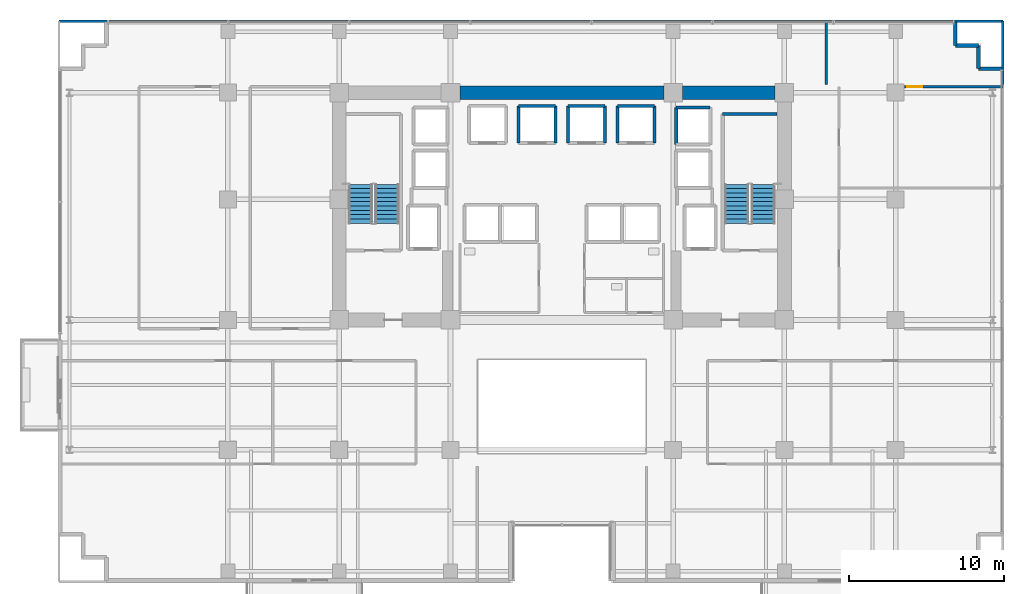
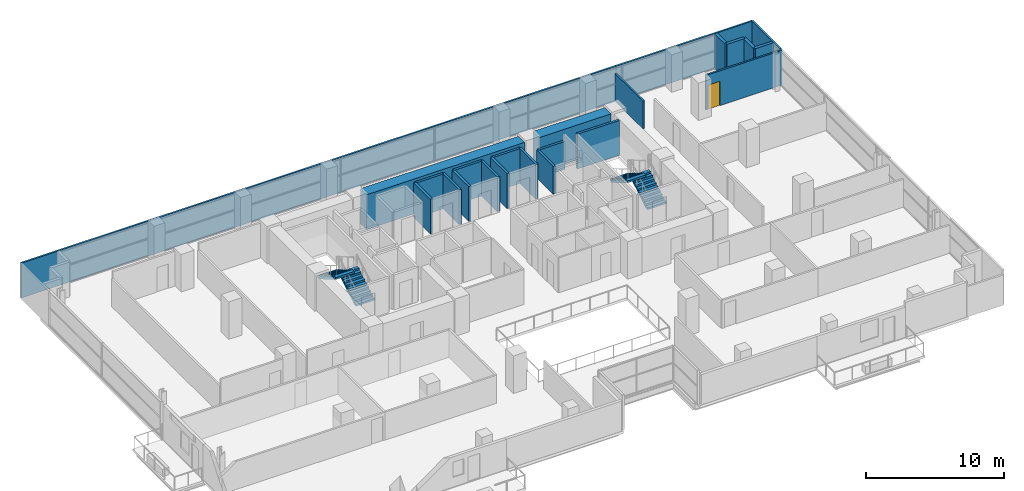
# One storey, part 26 of 30: 23 walls, 4 stair flights, 1 door, 1 opening, 2 elements without a shape of their own.
"""IFC4 building model written with IfcOpenShell, lengths in metres."""

from ifc_helpers import new_model, si_unit, direction, frame, frame_2d, origin, place, context, subcontext, project, spatial, polyline, rectangle, outline, extrude, source, transform, mapped, material, layer, layer_set, type_object, element, fill, aggregate, save


model = new_model("IFC4")

# Units and contexts
model_context = context("Model", 3, precision=1e-05, world=origin(), true_north=direction((0.0, 1.0)))
body_context = subcontext(model_context, "Body", "Model", "MODEL_VIEW")
ifc_project = project(units=[si_unit("LENGTHUNIT", "METRE"), si_unit("AREAUNIT", "SQUARE_METRE"), si_unit("VOLUMEUNIT", "CUBIC_METRE"), si_unit("PLANEANGLEUNIT", "RADIAN"), si_unit("MASSUNIT", "GRAM", prefix="KILO")], contexts=[model_context])

# Site, building, storey
site_placement = place(None, origin())
site = spatial("IfcSite", under=ifc_project, at=site_placement, CompositionType="ELEMENT")
building_placement = place(site_placement, origin())
building = spatial("IfcBuilding", under=site, at=building_placement, Name="Zarnakvel Exchange Tower", CompositionType="ELEMENT")
storey_placement = place(building_placement, frame((0.0, 0.0, 40.60009765625)))
storey = spatial("IfcBuildingStorey", under=building, at=storey_placement, Name="L10", CompositionType="ELEMENT", Elevation=40.60009765625)

# Walls
ifc_material_1 = material(Name="Concrete C80/95", Category="concrete")
ifc_layer_1 = layer(ifc_material_1, 0.89990234375)
ifc_layer_set_1 = layer_set([ifc_layer_1], Name="Concrete C80/95")
wall_type_1 = type_object("IfcWallType", Name="CW-C1", PredefinedType="SHEAR", material=ifc_layer_set_1)
wall_1_placement = place(storey_placement, frame((-6.60009765625, 13.5, 0.0), z_axis=(0.0, 0.0, 1.0), x_axis=(1.0, 0.0, 0.0)))
element("IfcWall", 1, at=wall_1_placement, inside=storey, type_object=wall_type_1, Name="L10 Rear Core Shear Wall N2 (CW-C1)", PredefinedType="SHEAR", context=body_context, shape_type="SweptSolid", body=[
    extrude(rectangle(XDim=13.2001953125, YDim=0.89990234375, at=frame_2d((6.60009765625, 0.0))), origin(), (0.0, 0.0, 1.0), 3.074951171875),
])
wall_2_placement = place(storey_placement, frame((7.800048828125, 13.5, 0.0), z_axis=(0.0, 0.0, 1.0), x_axis=(1.0, 0.0, 0.0)))
element("IfcWall", 2, at=wall_2_placement, inside=storey, type_object=wall_type_1, Name="L10 Rear Core Shear Wall N3 (CW-C1)", PredefinedType="SHEAR", context=body_context, shape_type="SweptSolid", body=[
    extrude(rectangle(XDim=6.0, YDim=0.89990234375, at=frame_2d((3.0, 0.0))), origin(), (0.0, 0.0, 1.0), 3.074951171875),
])
ifc_material_2 = material(Name="Precast concrete C40/50", Category="concrete")
ifc_layer_2 = layer(ifc_material_2, 0.239990234375)
ifc_layer_set_2 = layer_set([ifc_layer_2], Name="Precast concrete C40/50")
wall_type_2 = type_object("IfcWallType", Name="EW-02", PredefinedType="SOLIDWALL", material=ifc_layer_set_2)
for number, where, z_axis, x_axis, name in (
    (3, (25.4599609375, 16.56005859375, 0.0), (0.0, 0.0, 1.0), (0.0, 1.0, 0.0), "L10 Exterior Precast Spandrel Wall EWC-L10-07 (EW-02)"),
    (4, (26.9599609375, 16.56005859375, 0.0), (0.0, 0.0, 1.0), (-1.0, 0.0, 0.0), "L10 Exterior Precast Spandrel Wall EWC-L10-08 (EW-02)"),
    (5, (26.9599609375, 15.06005859375, 0.0), (0.0, 0.0, 1.0), (0.0, 1.0, 0.0), "L10 Exterior Precast Spandrel Wall EWC-L10-09 (EW-02)"),
    (6, (28.4599609375, 15.06005859375, 0.0), (0.0, 0.0, 1.0), (-1.0, 0.0, 0.0), "L10 Exterior Precast Spandrel Wall EWC-L10-10 (EW-02)"),
):
    element("IfcWall", number, at=place(storey_placement, frame(where, z_axis=z_axis, x_axis=x_axis)), inside=storey, type_object=wall_type_2, Name=name, PredefinedType="SOLIDWALL", context=body_context, shape_type="SweptSolid", body=[
        extrude(rectangle(XDim=1.5, YDim=0.239990234375, at=frame_2d((0.75, 0.0))), origin(), (0.0, 0.0, 1.0), 3.074951171875),
    ])

# Wall, opening, door
ifc_material_3 = material(Name="Fire-Rated Gypsum Stud Partition", Category="gypsum")
ifc_layer_3 = layer(ifc_material_3, 0.14990234375)
ifc_layer_set_3 = layer_set([ifc_layer_3], Name="Fire-Rated Gypsum Stud Partition")
wall_type_3 = type_object("IfcWallType", Name="PT-01", PredefinedType="PARTITIONING", material=ifc_layer_set_3)
wall_3_placement = place(storey_placement, frame((22.169921875, 13.8798828125, 0.0), z_axis=(0.0, 0.0, 1.0), x_axis=(1.0, 0.0, 0.0)))
wall_3 = element("IfcWall", 7, at=wall_3_placement, inside=storey, type_object=wall_type_3, Name="L10 Partition Wall PWALL-L10-052 (PT-01)", PredefinedType="PARTITIONING", context=body_context, shape_type="SweptSolid", body=[
    extrude(rectangle(XDim=6.360107421875, YDim=0.14990234375, at=frame_2d((3.18017578125, 0.0))), origin(), (0.0, 0.0, 1.0), 3.074951171875),
])
opening_placement = place(wall_3_placement, frame((0.179931640625, 0.0, 0.0)))
opening = element("IfcOpeningElement", 8, at=opening_placement, cuts=wall_3, Name="Opening D-L10-20", PredefinedType="OPENING", context=body_context, shape_type="SweptSolid", body=[
    extrude(rectangle(XDim=0.97998046875, YDim=2.14990234375, at=frame_2d((0.489990234375, 1.074951171875))), frame((0.0, 0.0849609375, 0.0), z_axis=(0.0, -1.0, 0.0), x_axis=(1.0, 0.0, 0.0)), (0.0, 0.0, 1.0), 0.169921875),
])
ifc_material_4 = material(Name="Timber Acoustic Veneer", Category="wood")
door_type = type_object("IfcDoorType", Name="DT-05", OperationType="NOTDEFINED", PredefinedType="DOOR", material=ifc_material_4)
shared_shape = source(origin(), body_context, "Body", "SweptSolid", [
    extrude(rectangle(XDim=0.97998046875, YDim=2.14990234375, at=frame_2d((0.489990234375, 1.074951171875))), frame((0.0, 0.02490234375, 0.0), z_axis=(0.0, -1.0, 0.0), x_axis=(1.0, 0.0, 0.0)), (0.0, 0.0, 1.0), 0.050048828125),
])
door_placement = place(opening_placement, origin())
door = element("IfcDoor", 9, at=door_placement, inside=storey, type_object=door_type, Name="L10 Reception Lounge Door D-L10-20", OperationType="SINGLE_SWING_RIGHT", OverallHeight=2.14990234375, OverallWidth=0.97998046875, PredefinedType="DOOR", context=body_context, shape_type="MappedRepresentation", body=[
    mapped(shared_shape, transform((0.0, 0.0, 0.0), x_axis=(1.0, 0.0, 0.0), y_axis=(0.0, 1.0, 0.0), z_axis=(0.0, 0.0, 1.0), scale=1.0)),
])
fill(opening, door)

# Walls
wall_4_placement = place(storey_placement, frame((-32.530029296875, 18.1298828125, 0.0), z_axis=(0.0, 0.0, 1.0), x_axis=(1.0, 0.0, 0.0)))
element("IfcWall", 10, at=wall_4_placement, inside=storey, type_object=wall_type_3, Name="L10 Partition Wall PWALL-L10-055 (PT-01)", PredefinedType="PARTITIONING", context=body_context, shape_type="SweptSolid", body=[
    extrude(rectangle(XDim=49.630126953125, YDim=0.14990234375, at=frame_2d((24.81494140625, 0.0))), origin(), (0.0, 0.0, 1.0), 3.074951171875),
])
wall_5_placement = place(storey_placement, frame((17.10009765625, 18.1298828125, 0.0), z_axis=(0.0, 0.0, 1.0), x_axis=(0.0, -1.0, 0.0)))
element("IfcWall", 11, at=wall_5_placement, inside=storey, type_object=wall_type_3, Name="L10 Partition Wall PWALL-L10-057 (PT-01)", PredefinedType="PARTITIONING", context=body_context, shape_type="SweptSolid", body=[
    extrude(rectangle(XDim=4.099853515625, YDim=0.14990234375, at=frame_2d((2.0498046875, 0.0))), origin(), (0.0, 0.0, 1.0), 2.46484375),
])
wall_6_placement = place(storey_placement, frame((17.10009765625, 18.1298828125, 0.0), z_axis=(0.0, 0.0, 1.0), x_axis=(1.0, 0.0, 0.0)))
element("IfcWall", 12, at=wall_6_placement, inside=storey, type_object=wall_type_3, Name="L10 Partition Wall PWALL-L10-058 (PT-01)", PredefinedType="PARTITIONING", context=body_context, shape_type="SweptSolid", body=[
    extrude(rectangle(XDim=11.429931640625, YDim=0.14990234375, at=frame_2d((5.71484375, 0.0))), origin(), (0.0, 0.0, 1.0), 3.074951171875),
])
wall_7_placement = place(storey_placement, frame((28.530029296875, 18.1298828125, 0.0), z_axis=(0.0, 0.0, 1.0), x_axis=(0.0, -1.0, 0.0)))
element("IfcWall", 13, at=wall_7_placement, inside=storey, type_object=wall_type_3, Name="L10 Partition Wall PWALL-L10-059 (PT-01)", PredefinedType="PARTITIONING", context=body_context, shape_type="SweptSolid", body=[
    extrude(rectangle(XDim=4.099853515625, YDim=0.14990234375, at=frame_2d((2.0498046875, 0.0))), origin(), (0.0, 0.0, 1.0), 3.074951171875),
])
ifc_material_5 = material(Name="Concrete C40/50", Category="concrete")
ifc_layer_4 = layer(ifc_material_5, 0.199951171875)
ifc_layer_set_4 = layer_set([ifc_layer_4], Name="Concrete C40/50")
wall_type_4 = type_object("IfcWallType", Name="SW-01", PredefinedType="SOLIDWALL", material=ifc_layer_set_4)
wall_8_placement = place(storey_placement, frame((-2.800048828125, 12.64990234375, 0.0), z_axis=(0.0, 0.0, 1.0), x_axis=(1.0, 0.0, 0.0)))
element("IfcWall", 14, at=wall_8_placement, inside=storey, type_object=wall_type_4, Name="L10 PL-02 Hoistway Wall North", PredefinedType="SOLIDWALL", context=body_context, shape_type="SweptSolid", body=[
    extrude(rectangle(XDim=2.400146484375, YDim=0.199951171875, at=frame_2d((1.2001953125, 0.0))), origin(), (0.0, 0.0, 1.0), 3.074951171875),
])
for number, where, z_axis, x_axis, name in (
    (15, (-2.800048828125, 10.25, 0.0), (0.0, 0.0, 1.0), (0.0, 1.0, 0.0), "L10 PL-02 Hoistway Wall West"),
    (16, (-0.39990234375, 12.64990234375, 0.0), (0.0, 0.0, 1.0), (0.0, -1.0, 0.0), "L10 PL-02 Hoistway Wall East"),
):
    element("IfcWall", number, at=place(storey_placement, frame(where, z_axis=z_axis, x_axis=x_axis)), inside=storey, type_object=wall_type_4, Name=name, PredefinedType="SOLIDWALL", context=body_context, shape_type="SweptSolid", body=[
        extrude(rectangle(XDim=2.39990234375, YDim=0.199951171875, at=frame_2d((1.199951171875, 0.0))), origin(), (0.0, 0.0, 1.0), 3.074951171875),
    ])
wall_9_placement = place(storey_placement, frame((0.39990234375, 12.64990234375, 0.0), z_axis=(0.0, 0.0, 1.0), x_axis=(1.0, 0.0, 0.0)))
element("IfcWall", 17, at=wall_9_placement, inside=storey, type_object=wall_type_4, Name="L10 PL-03 Hoistway Wall North", PredefinedType="SOLIDWALL", context=body_context, shape_type="SweptSolid", body=[
    extrude(rectangle(XDim=2.400146484375, YDim=0.199951171875, at=frame_2d((1.2001953125, 0.0))), origin(), (0.0, 0.0, 1.0), 3.074951171875),
])
for number, where, z_axis, x_axis, name in (
    (18, (0.39990234375, 10.25, 0.0), (0.0, 0.0, 1.0), (0.0, 1.0, 0.0), "L10 PL-03 Hoistway Wall West"),
    (19, (2.800048828125, 12.64990234375, 0.0), (0.0, 0.0, 1.0), (0.0, -1.0, 0.0), "L10 PL-03 Hoistway Wall East"),
    (20, (3.60009765625, 12.64990234375, 0.0), (0.0, 0.0, 1.0), (1.0, 0.0, 0.0), "L10 PL-04 Hoistway Wall North"),
    (21, (3.60009765625, 10.25, 0.0), (0.0, 0.0, 1.0), (0.0, 1.0, 0.0), "L10 PL-04 Hoistway Wall West"),
    (22, (6.0, 12.64990234375, 0.0), (0.0, 0.0, 1.0), (0.0, -1.0, 0.0), "L10 PL-04 Hoistway Wall East"),
):
    element("IfcWall", number, at=place(storey_placement, frame(where, z_axis=z_axis, x_axis=x_axis)), inside=storey, type_object=wall_type_4, Name=name, PredefinedType="SOLIDWALL", context=body_context, shape_type="SweptSolid", body=[
        extrude(rectangle(XDim=2.39990234375, YDim=0.199951171875, at=frame_2d((1.199951171875, 0.0))), origin(), (0.0, 0.0, 1.0), 3.074951171875),
    ])
wall_10_placement = place(storey_placement, frame((7.39990234375, 12.550048828125, 0.0), z_axis=(0.0, 0.0, 1.0), x_axis=(1.0, 0.0, 0.0)))
element("IfcWall", 23, at=wall_10_placement, inside=storey, type_object=wall_type_4, Name="L10 PL-12 Hoistway Wall North", PredefinedType="SOLIDWALL", context=body_context, shape_type="SweptSolid", body=[
    extrude(rectangle(XDim=2.2001953125, YDim=0.199951171875, at=frame_2d((1.10009765625, 0.0))), origin(), (0.0, 0.0, 1.0), 2.46484375),
])
wall_11_placement = place(storey_placement, frame((7.39990234375, 10.14990234375, 0.0), z_axis=(0.0, 0.0, 1.0), x_axis=(0.0, 1.0, 0.0)))
element("IfcWall", 24, at=wall_11_placement, inside=storey, type_object=wall_type_4, Name="L10 PL-12 Hoistway Wall West", PredefinedType="SOLIDWALL", context=body_context, shape_type="SweptSolid", body=[
    extrude(rectangle(XDim=2.400146484375, YDim=0.199951171875, at=frame_2d((1.2001953125, 0.0))), origin(), (0.0, 0.0, 1.0), 2.46484375),
])
ifc_layer_5 = layer(ifc_material_5, 0.199951171875)
ifc_layer_set_5 = layer_set([ifc_layer_5], Name="Concrete C40/50")
wall_type_5 = type_object("IfcWallType", Name="SW-02", PredefinedType="SOLIDWALL", material=ifc_layer_set_5)
wall_12_placement = place(storey_placement, frame((10.409912109375, 12.1298828125, 0.0), z_axis=(0.0, 0.0, 1.0), x_axis=(1.0, 0.0, 0.0)))
element("IfcWall", 25, at=wall_12_placement, inside=storey, type_object=wall_type_5, Name="L10 Stairwell Core Wall PWALL-L10-005 (SW-02)", PredefinedType="SOLIDWALL", context=body_context, shape_type="SweptSolid", body=[
    extrude(rectangle(XDim=3.52001953125, YDim=0.199951171875, at=frame_2d((1.760009765625, 0.0))), origin(), (0.0, 0.0, 1.0), 3.074951171875),
])

# Stair, stair flights
stair_type = type_object("IfcStairType", Name="STR-01", PredefinedType="HALF_TURN_STAIR", material=ifc_material_5)
stair_1_placement = place(storey_placement, origin())
stair_1 = element("IfcStair", 26, at=stair_1_placement, inside=storey, type_object=stair_type, Name="L10 Protected Core Exit Stair ST-01", PredefinedType="HALF_TURN_STAIR")
stair_flight_type = type_object("IfcStairFlightType", Name="FLT-01", PredefinedType="STRAIGHT", material=ifc_material_5)
stair_flight_1_placement = place(storey_placement, frame((-11.31494140625, 5.050048828125, 0.0), z_axis=(0.0, 0.0, 1.0), x_axis=(0.0, 1.0, 0.0)))
stair_flight_1 = element("IfcStairFlight", 27, at=stair_flight_1_placement, type_object=stair_flight_type, Name="ST-01 flight 1", NumberOfRisers=10, NumberOfTreads=9, PredefinedType="STRAIGHT", RiserHeight=0.165, TreadLength=0.28, context=body_context, shape_type="SweptSolid", body=[
    extrude(outline(polyline([(0.0, 0.0), (0.0, 0.1650390625), (0.280029296875, 0.1650390625), (0.280029296875, 0.330078125), (0.56005859375, 0.330078125), (0.56005859375, 0.4951171875), (0.840087890625, 0.4951171875), (0.840087890625, 0.659912109375), (1.1201171875, 0.659912109375), (1.1201171875, 0.824951171875), (1.39990234375, 0.824951171875), (1.39990234375, 0.989990234375), (1.679931640625, 0.989990234375), (1.679931640625, 1.155029296875), (1.9599609375, 1.155029296875), (1.9599609375, 1.320068359375), (2.239990234375, 1.320068359375), (2.239990234375, 1.485107421875), (2.52001953125, 1.485107421875), (2.52001953125, 1.64990234375), (2.52001953125, 1.31103515625), (0.295166015625, 0.0), (0.0, 0.0)])), frame((0.0, 0.77490234375, 0.0), z_axis=(0.0, -1.0, 0.0), x_axis=(1.0, 0.0, 0.0)), (0.0, 0.0, 1.0), 1.550048828125),
])
stair_flight_2_placement = place(storey_placement, frame((-13.02490234375, 7.570068359375, 1.64990234375), z_axis=(0.0, 0.0, 1.0), x_axis=(0.0, -1.0, 0.0)))
stair_flight_2 = element("IfcStairFlight", 28, at=stair_flight_2_placement, type_object=stair_flight_type, Name="ST-01 flight 2", NumberOfRisers=10, NumberOfTreads=9, PredefinedType="STRAIGHT", RiserHeight=0.165, TreadLength=0.28, context=body_context, shape_type="SweptSolid", body=[
    extrude(outline(polyline([(0.0, 0.0), (0.0, 0.1650390625), (0.280029296875, 0.1650390625), (0.280029296875, 0.330078125), (0.56005859375, 0.330078125), (0.56005859375, 0.4951171875), (0.840087890625, 0.4951171875), (0.840087890625, 0.659912109375), (1.1201171875, 0.659912109375), (1.1201171875, 0.824951171875), (1.39990234375, 0.824951171875), (1.39990234375, 0.989990234375), (1.679931640625, 0.989990234375), (1.679931640625, 1.155029296875), (1.9599609375, 1.155029296875), (1.9599609375, 1.320068359375), (2.239990234375, 1.320068359375), (2.239990234375, 1.485107421875), (2.52001953125, 1.485107421875), (2.52001953125, 1.64990234375), (2.52001953125, 1.31103515625), (0.295166015625, 0.0), (0.0, 0.0)])), frame((0.0, 0.77490234375, 0.0), z_axis=(0.0, -1.0, 0.0), x_axis=(1.0, 0.0, 0.0)), (0.0, 0.0, 1.0), 1.550048828125),
])
aggregate(stair_1, [stair_flight_1, stair_flight_2])

stair_2_placement = place(storey_placement, origin())
stair_2 = element("IfcStair", 29, at=stair_2_placement, inside=storey, type_object=stair_type, Name="L10 Protected Core Exit Stair ST-02", PredefinedType="HALF_TURN_STAIR")
stair_flight_3_placement = place(storey_placement, frame((13.02490234375, 5.050048828125, 0.0), z_axis=(0.0, 0.0, 1.0), x_axis=(0.0, 1.0, 0.0)))
stair_flight_3 = element("IfcStairFlight", 30, at=stair_flight_3_placement, type_object=stair_flight_type, Name="ST-02 flight 1", NumberOfRisers=10, NumberOfTreads=9, PredefinedType="STRAIGHT", RiserHeight=0.165, TreadLength=0.28, context=body_context, shape_type="SweptSolid", body=[
    extrude(outline(polyline([(0.0, 0.0), (0.0, 0.1650390625), (0.280029296875, 0.1650390625), (0.280029296875, 0.330078125), (0.56005859375, 0.330078125), (0.56005859375, 0.4951171875), (0.840087890625, 0.4951171875), (0.840087890625, 0.659912109375), (1.1201171875, 0.659912109375), (1.1201171875, 0.824951171875), (1.39990234375, 0.824951171875), (1.39990234375, 0.989990234375), (1.679931640625, 0.989990234375), (1.679931640625, 1.155029296875), (1.9599609375, 1.155029296875), (1.9599609375, 1.320068359375), (2.239990234375, 1.320068359375), (2.239990234375, 1.485107421875), (2.52001953125, 1.485107421875), (2.52001953125, 1.64990234375), (2.52001953125, 1.31103515625), (0.295166015625, 0.0), (0.0, 0.0)])), frame((0.0, 0.77490234375, 0.0), z_axis=(0.0, -1.0, 0.0), x_axis=(1.0, 0.0, 0.0)), (0.0, 0.0, 1.0), 1.550048828125),
])
stair_flight_4_placement = place(storey_placement, frame((11.31494140625, 7.570068359375, 1.64990234375), z_axis=(0.0, 0.0, 1.0), x_axis=(0.0, -1.0, 0.0)))
stair_flight_4 = element("IfcStairFlight", 31, at=stair_flight_4_placement, type_object=stair_flight_type, Name="ST-02 flight 2", NumberOfRisers=10, NumberOfTreads=9, PredefinedType="STRAIGHT", RiserHeight=0.165, TreadLength=0.28, context=body_context, shape_type="SweptSolid", body=[
    extrude(outline(polyline([(0.0, 0.0), (0.0, 0.1650390625), (0.280029296875, 0.1650390625), (0.280029296875, 0.330078125), (0.56005859375, 0.330078125), (0.56005859375, 0.4951171875), (0.840087890625, 0.4951171875), (0.840087890625, 0.659912109375), (1.1201171875, 0.659912109375), (1.1201171875, 0.824951171875), (1.39990234375, 0.824951171875), (1.39990234375, 0.989990234375), (1.679931640625, 0.989990234375), (1.679931640625, 1.155029296875), (1.9599609375, 1.155029296875), (1.9599609375, 1.320068359375), (2.239990234375, 1.320068359375), (2.239990234375, 1.485107421875), (2.52001953125, 1.485107421875), (2.52001953125, 1.64990234375), (2.52001953125, 1.31103515625), (0.295166015625, 0.0), (0.0, 0.0)])), frame((0.0, 0.77490234375, 0.0), z_axis=(0.0, -1.0, 0.0), x_axis=(1.0, 0.0, 0.0)), (0.0, 0.0, 1.0), 1.550048828125),
])
aggregate(stair_2, [stair_flight_3, stair_flight_4])

save(model, "model.ifc")
